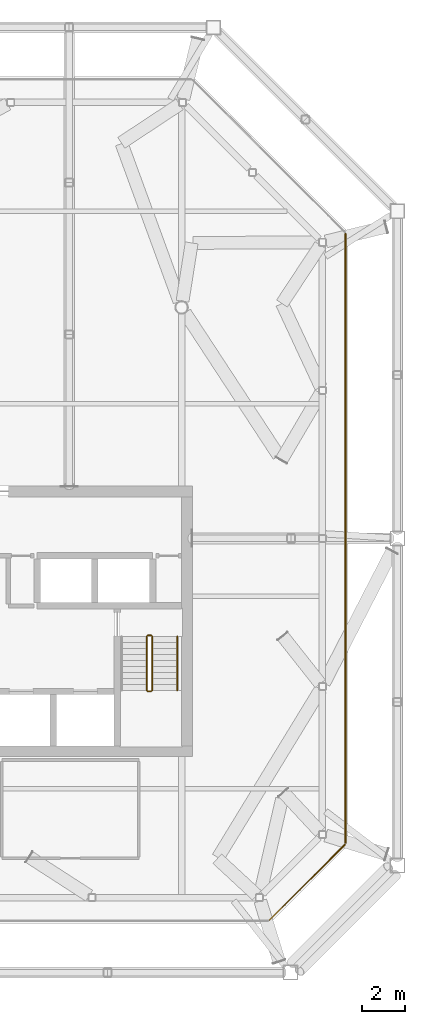
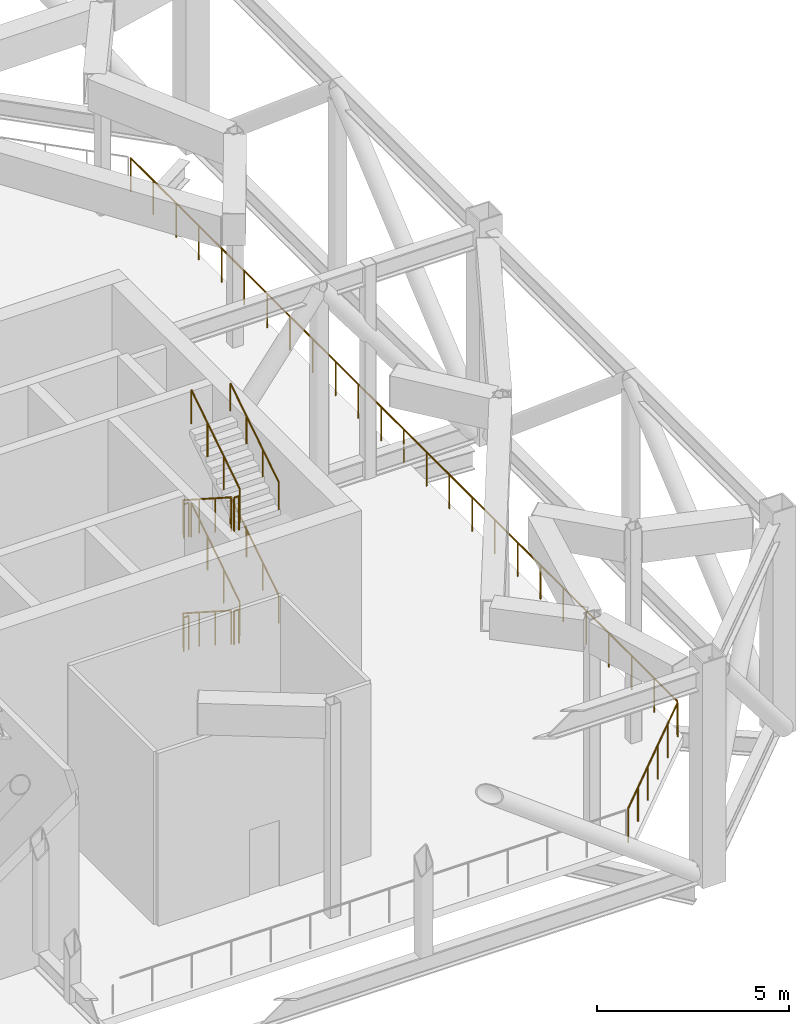
# One storey, part 16 of 17: 12 railings.
"""IFC4 building model written with IfcOpenShell, lengths in metres."""

import ifcopenshell
import ifcopenshell.guid

model = None  # the IFC model being written
_history = None  # IfcOwnerHistory: only IFC2X3 demands one
_inside = {}  # id of a spatial element -> (the spatial element, [elements in it])
_under = {}  # id of a project, library or spatial element -> (it, [spatial elements below it])
_declared = {}  # id of a project -> (the project, [libraries it declares])
_typed = {}  # id of a type object -> (the type object, [elements of that type])
_made_of = {}  # id of a material, layer set ... -> (it, [elements and type objects made of it])


def new_model(schema):
    """Start an empty IFC model of exactly this schema.

    Asked for "IFC4X3", IfcOpenShell would pick the latest addendum, in which some entities
    have other attributes; the version numbers below select the first issue.
    IFC2X3 requires an IfcOwnerHistory on every rooted entity: one is made here for all.
    """
    global model, _history
    if schema == "IFC4X3":
        model = ifcopenshell.file(schema_version=(4, 3, 0, 0))
    else:
        model = ifcopenshell.file(schema=schema)
    _inside.clear()
    _under.clear()
    _declared.clear()
    _typed.clear()
    _made_of.clear()
    _history = None
    if model.schema == "IFC2X3":
        org = make("IfcOrganization", Name="unknown")
        user = make(
            "IfcPersonAndOrganization",
            ThePerson=make("IfcPerson", FamilyName="unknown"),
            TheOrganization=org,
        )
        app = make(
            "IfcApplication",
            ApplicationDeveloper=org,
            Version="unknown",
            ApplicationFullName="unknown",
            ApplicationIdentifier="unknown",
        )
        _history = make(
            "IfcOwnerHistory",
            OwningUser=user,
            OwningApplication=app,
            ChangeAction="ADDED",
            CreationDate=0,
        )
    return model


def make(cls, **values):
    """One entity of the class cls with the attributes given. An attribute that is None is left unset."""
    return model.create_entity(
        cls, **{name: value for name, value in values.items() if value is not None}
    )


def rooted(cls, **values):
    """An entity with a GlobalId (a new one), such as an element, a storey or a relation."""
    return make(cls, GlobalId=ifcopenshell.guid.new(), OwnerHistory=_history, **values)


def si_unit(unit_type, name, prefix=None):
    """IfcSIUnit, for example si_unit("LENGTHUNIT", "METRE", prefix="MILLI")."""
    return make("IfcSIUnit", UnitType=unit_type, Prefix=prefix, Name=name)


def assignment(units):
    """IfcUnitAssignment: the units of a project."""
    return None if units is None else make("IfcUnitAssignment", Units=units)


def point(xyz):
    """IfcCartesianPoint."""
    return None if xyz is None else make("IfcCartesianPoint", Coordinates=xyz)


def direction(xyz):
    """IfcDirection."""
    return None if xyz is None else make("IfcDirection", DirectionRatios=xyz)


def frame(location, z_axis=None, x_axis=None):
    """IfcAxis2Placement3D, a coordinate frame: its origin and axes. An axis left out is left unset."""
    return make(
        "IfcAxis2Placement3D",
        Location=point(location),
        Axis=direction(z_axis),
        RefDirection=direction(x_axis),
    )


def frame_2d(location, x_axis=None):
    """IfcAxis2Placement2D, a coordinate frame in the plane: its origin and x axis."""
    return make(
        "IfcAxis2Placement2D", Location=point(location), RefDirection=direction(x_axis)
    )


def origin():
    """The frame at (0, 0, 0) with its axes left unset."""
    return frame((0.0, 0.0, 0.0))


def origin_2d():
    """The frame at (0, 0) in the plane with its x axis left unset."""
    return frame_2d((0.0, 0.0))


def place(relative_to, where):
    """IfcLocalPlacement: puts the frame where relative to a parent placement (None: the world)."""
    return make(
        "IfcLocalPlacement", PlacementRelTo=relative_to, RelativePlacement=where
    )


def context(
    kind, dimensions, precision=None, world=None, true_north=None, identifier=None
):
    """IfcGeometricRepresentationContext, for example the 3D "Model" context."""
    return make(
        "IfcGeometricRepresentationContext",
        ContextIdentifier=identifier,
        ContextType=kind,
        CoordinateSpaceDimension=dimensions,
        Precision=precision,
        WorldCoordinateSystem=world,
        TrueNorth=true_north,
    )


def subcontext(parent, identifier, kind, view, scale=None):
    """IfcGeometricRepresentationSubContext, for example "Body" below "Model"."""
    return make(
        "IfcGeometricRepresentationSubContext",
        ContextIdentifier=identifier,
        ContextType=kind,
        ParentContext=parent,
        TargetScale=scale,
        TargetView=view,
    )


def project(units=None, contexts=None):
    """IfcProject with its units and contexts."""
    return rooted(
        "IfcProject",
        Name="project",
        RepresentationContexts=contexts,
        UnitsInContext=assignment(units),
    )


def spatial(cls, under=None, at=None, **own):
    """A site, building, storey or space (cls), placed at a placement, below another one or the project."""
    s = rooted(cls, ObjectPlacement=at, **own)
    if under is not None:
        _under.setdefault(under.id(), (under, []))[1].append(s)
    return s


def profile(cls, at=None, kind="AREA", **sizes):
    """A parametric profile (cls). Its sizes go by their IFC names, for example OverallWidth=200.0."""
    return make(cls, ProfileType=kind, Position=at, **sizes)


def circle(**sizes):
    """IfcCircleProfileDef."""
    return profile("IfcCircleProfileDef", **sizes)


def extrude(swept, where, along, depth):
    """IfcExtrudedAreaSolid: the profile swept, set in the frame where, extruded along a direction by depth."""
    return make(
        "IfcExtrudedAreaSolid",
        SweptArea=swept,
        Position=where,
        ExtrudedDirection=direction(along),
        Depth=depth,
    )


def shape(context_of_items, identifier, shape_type, items):
    """IfcShapeRepresentation: the items that make up one representation, for example the "Body"."""
    return make(
        "IfcShapeRepresentation",
        ContextOfItems=context_of_items,
        RepresentationIdentifier=identifier,
        RepresentationType=shape_type,
        Items=items,
    )


def material(Name=None, Category=None):
    """IfcMaterial."""
    return make("IfcMaterial", Name=Name, Category=Category)


def made_of(thing, what):
    """Note that an element or type object is made of a material, layer set ...; save() writes the relation."""
    if what is not None:
        _made_of.setdefault(what.id(), (what, []))[1].append(thing)
    return thing


def type_object(cls, material=None, **own):
    """A type object (cls), such as IfcWallType, which elements share."""
    return made_of(rooted(cls, **own), material)


def element(
    cls,
    number,
    at=None,
    inside=None,
    cuts=None,
    type_object=None,
    material=None,
    context=None,
    identifier="Body",
    shape_type=None,
    held_by="IfcProductDefinitionShape",
    body=None,
    shapes=None,
    **own,
):
    """One element of the class cls, such as IfcWall. Its Tag is "e" and its number.

    at: its placement. inside: the storey or other place that contains it. cuts: it is an
    opening in that element (IfcRelVoidsElement). A single representation is given by context,
    identifier, shape_type and body (its items); several are given by shapes. held_by: the class
    of the entity that holds the representations. save() writes the other relations.
    """
    e = rooted(cls, Tag="e%d" % number, ObjectPlacement=at, **own)
    if body is not None:
        shapes = [shape(context, identifier, shape_type, body)]
    if shapes is not None:
        e.Representation = make(held_by, Representations=shapes)
    if inside is not None:
        _inside.setdefault(inside.id(), (inside, []))[1].append(e)
    if cuts is not None:
        rooted(
            "IfcRelVoidsElement", RelatingBuildingElement=cuts, RelatedOpeningElement=e
        )
    if type_object is not None:
        _typed.setdefault(type_object.id(), (type_object, []))[1].append(e)
    return made_of(e, material)


def aggregate(whole, parts):
    """IfcRelAggregates: a whole, such as a stair, and the parts it consists of."""
    return rooted("IfcRelAggregates", RelatingObject=whole, RelatedObjects=parts)


def save(model, path):
    """Write the relations noted so far, then the file.

    IfcRelAggregates (storeys below a building ...), IfcRelContainedInSpatialStructure (elements
    in a storey), IfcRelDefinesByType, IfcRelAssociatesMaterial and IfcRelDeclares: one each for
    every whole, place, type object, material and project.
    """
    for whole, parts in _under.values():
        aggregate(whole, parts)
    for where, things in _inside.values():
        rooted(
            "IfcRelContainedInSpatialStructure",
            RelatedElements=things,
            RelatingStructure=where,
        )
    for kind, things in _typed.values():
        rooted("IfcRelDefinesByType", RelatedObjects=things, RelatingType=kind)
    for what, things in _made_of.values():
        rooted("IfcRelAssociatesMaterial", RelatedObjects=things, RelatingMaterial=what)
    for by, libraries in _declared.values():
        rooted("IfcRelDeclares", RelatingContext=by, RelatedDefinitions=libraries)
    model.write(path)


model = new_model("IFC4")

# Units and contexts
model_context = context("Model", 3, precision=1e-05, world=origin(), true_north=direction((0.0, 1.0)))
body_context = subcontext(model_context, "Body", "Model", "MODEL_VIEW")
ifc_project = project(units=[si_unit("LENGTHUNIT", "METRE"), si_unit("AREAUNIT", "SQUARE_METRE"), si_unit("VOLUMEUNIT", "CUBIC_METRE"), si_unit("PLANEANGLEUNIT", "RADIAN"), si_unit("MASSUNIT", "GRAM", prefix="KILO")], contexts=[model_context])

# Site, building, storey
site_placement = place(None, origin())
site = spatial("IfcSite", under=ifc_project, at=site_placement, CompositionType="ELEMENT")
building_placement = place(site_placement, origin())
building = spatial("IfcBuilding", under=site, at=building_placement, Name="Tskaro Facet Tower", CompositionType="ELEMENT")
storey_placement = place(building_placement, frame((0.0, 0.0, 210.0)))
storey = spatial("IfcBuildingStorey", under=building, at=storey_placement, Name="L54", CompositionType="ELEMENT", Elevation=210.0)

# Railings
ifc_material_1 = material(Name="Bronze anodised aluminium 6063-T6", Category="aluminium")
railing_type_1 = type_object("IfcRailingType", Name="Bronze guard rail (GD1)", PredefinedType="GUARDRAIL", material=ifc_material_1)
railing_1_placement = place(storey_placement, frame((13.11181640625, -19.631103515625, 0.0)))
element("IfcRailing", 1, at=railing_1_placement, inside=storey, type_object=railing_type_1, Name="Guard L54", PredefinedType="GUARDRAIL", context=body_context, shape_type="SweptSolid", body=[
    extrude(circle(Radius=0.02490234375, at=origin_2d()), frame((0.0, 0.0, 1.0751953125), z_axis=(0.707106781187, 0.707106781187, 0.0), x_axis=(-0.707106781187, 0.707106781187, 0.0)), (0.0, 0.0, 1.0), 4.97705078125),
    extrude(circle(Radius=0.02001953125, at=origin_2d()), origin(), (0.0, 0.0, 1.0), 1.050048828125),
    extrude(circle(Radius=0.02001953125, at=origin_2d()), frame((0.703857421875, 0.703857421875, 0.0)), (0.0, 0.0, 1.0), 1.050048828125),
    extrude(circle(Radius=0.02001953125, at=origin_2d()), frame((1.40771484375, 1.40771484375, 0.0)), (0.0, 0.0, 1.0), 1.050048828125),
    extrude(circle(Radius=0.02001953125, at=origin_2d()), frame((2.111572265625, 2.111572265625, 0.0)), (0.0, 0.0, 1.0), 1.050048828125),
    extrude(circle(Radius=0.02001953125, at=origin_2d()), frame((2.8154296875, 2.8154296875, 0.0)), (0.0, 0.0, 1.0), 1.050048828125),
    extrude(circle(Radius=0.02001953125, at=origin_2d()), frame((3.519287109375, 3.519287109375, 0.0)), (0.0, 0.0, 1.0), 1.050048828125),
])
railing_2_placement = place(storey_placement, frame((16.6630859375, -16.034912109375, 0.0)))
element("IfcRailing", 2, at=railing_2_placement, inside=storey, type_object=railing_type_1, Name="Guard L54", PredefinedType="GUARDRAIL", context=body_context, shape_type="SweptSolid", body=[
    extrude(circle(Radius=0.02490234375, at=origin_2d()), frame((0.0, 0.0, 1.0751953125), z_axis=(0.0, 1.0, 0.0), x_axis=(-1.0, 0.0, 0.0)), (0.0, 0.0, 1.0), 28.48291015625),
    extrude(circle(Radius=0.02001953125, at=origin_2d()), origin(), (0.0, 0.0, 1.0), 1.050048828125),
    extrude(circle(Radius=0.02001953125, at=origin_2d()), frame((0.0, 1.186767578125, 0.0)), (0.0, 0.0, 1.0), 1.050048828125),
    extrude(circle(Radius=0.02001953125, at=origin_2d()), frame((0.0, 2.37353515625, 0.0)), (0.0, 0.0, 1.0), 1.050048828125),
    extrude(circle(Radius=0.02001953125, at=origin_2d()), frame((0.0, 3.560302734375, 0.0)), (0.0, 0.0, 1.0), 1.050048828125),
    extrude(circle(Radius=0.02001953125, at=origin_2d()), frame((0.0, 4.7470703125, 0.0)), (0.0, 0.0, 1.0), 1.050048828125),
    extrude(circle(Radius=0.02001953125, at=origin_2d()), frame((0.0, 5.933837890625, 0.0)), (0.0, 0.0, 1.0), 1.050048828125),
    extrude(circle(Radius=0.02001953125, at=origin_2d()), frame((0.0, 7.12060546875, 0.0)), (0.0, 0.0, 1.0), 1.050048828125),
    extrude(circle(Radius=0.02001953125, at=origin_2d()), frame((0.0, 8.3076171875, 0.0)), (0.0, 0.0, 1.0), 1.050048828125),
    extrude(circle(Radius=0.02001953125, at=origin_2d()), frame((0.0, 9.494384765625, 0.0)), (0.0, 0.0, 1.0), 1.050048828125),
    extrude(circle(Radius=0.02001953125, at=origin_2d()), frame((0.0, 10.68115234375, 0.0)), (0.0, 0.0, 1.0), 1.050048828125),
    extrude(circle(Radius=0.02001953125, at=origin_2d()), frame((0.0, 11.867919921875, 0.0)), (0.0, 0.0, 1.0), 1.050048828125),
    extrude(circle(Radius=0.02001953125, at=origin_2d()), frame((0.0, 13.0546875, 0.0)), (0.0, 0.0, 1.0), 1.050048828125),
    extrude(circle(Radius=0.02001953125, at=origin_2d()), frame((0.0, 14.241455078125, 0.0)), (0.0, 0.0, 1.0), 1.050048828125),
    extrude(circle(Radius=0.02001953125, at=origin_2d()), frame((0.0, 15.42822265625, 0.0)), (0.0, 0.0, 1.0), 1.050048828125),
    extrude(circle(Radius=0.02001953125, at=origin_2d()), frame((0.0, 16.614990234375, 0.0)), (0.0, 0.0, 1.0), 1.050048828125),
    extrude(circle(Radius=0.02001953125, at=origin_2d()), frame((0.0, 17.8017578125, 0.0)), (0.0, 0.0, 1.0), 1.050048828125),
    extrude(circle(Radius=0.02001953125, at=origin_2d()), frame((0.0, 18.988525390625, 0.0)), (0.0, 0.0, 1.0), 1.050048828125),
    extrude(circle(Radius=0.02001953125, at=origin_2d()), frame((0.0, 20.17529296875, 0.0)), (0.0, 0.0, 1.0), 1.050048828125),
    extrude(circle(Radius=0.02001953125, at=origin_2d()), frame((0.0, 21.3623046875, 0.0)), (0.0, 0.0, 1.0), 1.050048828125),
    extrude(circle(Radius=0.02001953125, at=origin_2d()), frame((0.0, 22.549072265625, 0.0)), (0.0, 0.0, 1.0), 1.050048828125),
    extrude(circle(Radius=0.02001953125, at=origin_2d()), frame((0.0, 23.73583984375, 0.0)), (0.0, 0.0, 1.0), 1.050048828125),
    extrude(circle(Radius=0.02001953125, at=origin_2d()), frame((0.0, 24.922607421875, 0.0)), (0.0, 0.0, 1.0), 1.050048828125),
    extrude(circle(Radius=0.02001953125, at=origin_2d()), frame((0.0, 26.109375, 0.0)), (0.0, 0.0, 1.0), 1.050048828125),
    extrude(circle(Radius=0.02001953125, at=origin_2d()), frame((0.0, 27.296142578125, 0.0)), (0.0, 0.0, 1.0), 1.050048828125),
    extrude(circle(Radius=0.02001953125, at=origin_2d()), frame((0.0, 28.48291015625, 0.0)), (0.0, 0.0, 1.0), 1.050048828125),
])
ifc_material_2 = material(Name="Stainless steel", Category="steel")
railing_type_2 = type_object("IfcRailingType", Name="RL-GUARD-1100", PredefinedType="GUARDRAIL", material=ifc_material_2)
railing_3_placement = place(storey_placement, frame((7.375, -6.375, 0.179931640625)))
element("IfcRailing", 3, at=railing_3_placement, inside=storey, type_object=railing_type_2, Name="L54 ST-2 stair guard 1", PredefinedType="GUARDRAIL", context=body_context, shape_type="SweptSolid", body=[
    extrude(circle(Radius=0.02392578125, at=origin_2d()), frame((0.0, 0.0, 1.076171875), z_axis=(0.0, -0.841162588446, 0.540782303519), x_axis=(1.0, 0.0, 0.0)), (0.0, 0.0, 1.0), 2.995849609375),
    extrude(circle(Radius=0.02099609375, at=origin_2d()), origin(), (0.0, 0.0, 1.0), 1.052001953125),
    extrude(circle(Radius=0.02099609375, at=origin_2d()), frame((0.0, -0.840087890625, 0.5400390625)), (0.0, 0.0, 1.0), 1.052001953125),
    extrude(circle(Radius=0.02099609375, at=origin_2d()), frame((0.0, -1.679931640625, 1.080078125)), (0.0, 0.0, 1.0), 1.052001953125),
    extrude(circle(Radius=0.02099609375, at=origin_2d()), frame((0.0, -2.52001953125, 1.6201171875)), (0.0, 0.0, 1.0), 1.052001953125),
])
railing_4_placement = place(storey_placement, frame((7.425048828125, -8.945068359375, 1.800048828125)))
element("IfcRailing", 4, at=railing_4_placement, inside=storey, type_object=railing_type_2, Name="L54 ST-2 stair guard 2", PredefinedType="GUARDRAIL", context=body_context, shape_type="SweptSolid", body=[
    extrude(circle(Radius=0.02392578125, at=origin_2d()), frame((0.0, 0.0, 1.076171875), z_axis=(1.0, 0.0, 0.0), x_axis=(0.0, 1.0, 0.0)), (0.0, 0.0, 1.0), 0.14990234375),
    extrude(circle(Radius=0.02099609375, at=origin_2d()), origin(), (0.0, 0.0, 1.0), 1.052001953125),
    extrude(circle(Radius=0.02099609375, at=origin_2d()), frame((0.14990234375, 0.0, 0.0)), (0.0, 0.0, 1.0), 1.052001953125),
])
railing_5_placement = place(storey_placement, frame((7.625, -8.89501953125, 1.97998046875)))
element("IfcRailing", 5, at=railing_5_placement, inside=storey, type_object=railing_type_2, Name="L54 ST-2 stair guard 3", PredefinedType="GUARDRAIL", context=body_context, shape_type="SweptSolid", body=[
    extrude(circle(Radius=0.02392578125, at=origin_2d()), frame((0.0, 0.0, 1.076171875), z_axis=(0.0, 0.841162588446, 0.540782303519), x_axis=(-1.0, 0.0, 0.0)), (0.0, 0.0, 1.0), 2.995849609375),
    extrude(circle(Radius=0.02099609375, at=origin_2d()), origin(), (0.0, 0.0, 1.0), 1.052001953125),
    extrude(circle(Radius=0.02099609375, at=origin_2d()), frame((0.0, 0.840087890625, 0.5400390625)), (0.0, 0.0, 1.0), 1.052001953125),
    extrude(circle(Radius=0.02099609375, at=origin_2d()), frame((0.0, 1.679931640625, 1.080078125)), (0.0, 0.0, 1.0), 1.052001953125),
    extrude(circle(Radius=0.02099609375, at=origin_2d()), frame((0.0, 2.52001953125, 1.6201171875)), (0.0, 0.0, 1.0), 1.052001953125),
])
railing_6_placement = place(storey_placement, frame((7.425048828125, -6.324951171875, 3.60009765625)))
element("IfcRailing", 6, at=railing_6_placement, inside=storey, type_object=railing_type_2, Name="L54 ST-2 stair guard 4", PredefinedType="GUARDRAIL", context=body_context, shape_type="SweptSolid", body=[
    extrude(circle(Radius=0.02392578125, at=origin_2d()), frame((0.0, 0.0, 1.076171875), z_axis=(1.0, 0.0, 0.0), x_axis=(0.0, 1.0, 0.0)), (0.0, 0.0, 1.0), 0.14990234375),
    extrude(circle(Radius=0.02099609375, at=origin_2d()), origin(), (0.0, 0.0, 1.0), 1.052001953125),
    extrude(circle(Radius=0.02099609375, at=origin_2d()), frame((0.14990234375, 0.0, 0.0)), (0.0, 0.0, 1.0), 1.052001953125),
])
railing_7_placement = place(storey_placement, frame((7.375, -6.375, 3.780029296875)))
element("IfcRailing", 7, at=railing_7_placement, inside=storey, type_object=railing_type_2, Name="L54 ST-2 stair guard 5", PredefinedType="GUARDRAIL", context=body_context, shape_type="SweptSolid", body=[
    extrude(circle(Radius=0.02392578125, at=origin_2d()), frame((0.0, 0.0, 1.076171875), z_axis=(0.0, -0.841199657755, 0.540724639528), x_axis=(1.0, 0.0, 0.0)), (0.0, 0.0, 1.0), 2.995849609375),
    extrude(circle(Radius=0.02099609375, at=origin_2d()), origin(), (0.0, 0.0, 1.0), 1.052001953125),
    extrude(circle(Radius=0.02099609375, at=origin_2d()), frame((0.0, -0.840087890625, 0.5400390625)), (0.0, 0.0, 1.0), 1.052001953125),
    extrude(circle(Radius=0.02099609375, at=origin_2d()), frame((0.0, -1.679931640625, 1.079833984375)), (0.0, 0.0, 1.0), 1.052001953125),
    extrude(circle(Radius=0.02099609375, at=origin_2d()), frame((0.0, -2.52001953125, 1.619873046875)), (0.0, 0.0, 1.0), 1.052001953125),
])
railing_8_placement = place(storey_placement, frame((7.425048828125, -8.945068359375, 5.39990234375)))
element("IfcRailing", 8, at=railing_8_placement, inside=storey, type_object=railing_type_2, Name="L54 ST-2 stair guard 6", PredefinedType="GUARDRAIL", context=body_context, shape_type="SweptSolid", body=[
    extrude(circle(Radius=0.02392578125, at=origin_2d()), frame((0.0, 0.0, 1.076171875), z_axis=(1.0, 0.0, 0.0), x_axis=(0.0, 1.0, 0.0)), (0.0, 0.0, 1.0), 0.14990234375),
    extrude(circle(Radius=0.02099609375, at=origin_2d()), origin(), (0.0, 0.0, 1.0), 1.052001953125),
    extrude(circle(Radius=0.02099609375, at=origin_2d()), frame((0.14990234375, 0.0, 0.0)), (0.0, 0.0, 1.0), 1.052001953125),
])
railing_9_placement = place(storey_placement, frame((7.625, -8.89501953125, 5.580078125)))
element("IfcRailing", 9, at=railing_9_placement, inside=storey, type_object=railing_type_2, Name="L54 ST-2 stair guard 7", PredefinedType="GUARDRAIL", context=body_context, shape_type="SweptSolid", body=[
    extrude(circle(Radius=0.02392578125, at=origin_2d()), frame((0.0, 0.0, 1.076171875), z_axis=(0.0, 0.841199657755, 0.540724639528), x_axis=(-1.0, 0.0, 0.0)), (0.0, 0.0, 1.0), 2.995849609375),
    extrude(circle(Radius=0.02099609375, at=origin_2d()), origin(), (0.0, 0.0, 1.0), 1.052001953125),
    extrude(circle(Radius=0.02099609375, at=origin_2d()), frame((0.0, 0.840087890625, 0.5400390625)), (0.0, 0.0, 1.0), 1.052001953125),
    extrude(circle(Radius=0.02099609375, at=origin_2d()), frame((0.0, 1.679931640625, 1.079833984375)), (0.0, 0.0, 1.0), 1.052001953125),
    extrude(circle(Radius=0.02099609375, at=origin_2d()), frame((0.0, 2.52001953125, 1.619873046875)), (0.0, 0.0, 1.0), 1.052001953125),
])
railing_10_placement = place(storey_placement, frame((7.425048828125, -6.324951171875, 0.0)))
element("IfcRailing", 10, at=railing_10_placement, inside=storey, type_object=railing_type_2, Name="L54 ST-2 stair guard 8", PredefinedType="GUARDRAIL", context=body_context, shape_type="SweptSolid", body=[
    extrude(circle(Radius=0.02392578125, at=origin_2d()), frame((0.0, 0.0, 1.076171875), z_axis=(1.0, 0.0, 0.0), x_axis=(0.0, 1.0, 0.0)), (0.0, 0.0, 1.0), 0.14990234375),
    extrude(circle(Radius=0.02099609375, at=origin_2d()), origin(), (0.0, 0.0, 1.0), 1.052001953125),
    extrude(circle(Radius=0.02099609375, at=origin_2d()), frame((0.14990234375, 0.0, 0.0)), (0.0, 0.0, 1.0), 1.052001953125),
])
railing_type_3 = type_object("IfcRailingType", Name="RL-HANDRAIL-900", PredefinedType="HANDRAIL", material=ifc_material_2)
railing_11_placement = place(storey_placement, frame((8.800048828125, -8.89501953125, 1.97998046875)))
element("IfcRailing", 11, at=railing_11_placement, inside=storey, type_object=railing_type_3, Name="L54 ST-2 stair handrail 2", PredefinedType="HANDRAIL", context=body_context, shape_type="SweptSolid", body=[
    extrude(circle(Radius=0.02392578125, at=origin_2d()), frame((0.0, 0.0, 0.8759765625), z_axis=(0.0, 0.841162588446, 0.540782303519), x_axis=(-1.0, 0.0, 0.0)), (0.0, 0.0, 1.0), 2.995849609375),
    extrude(circle(Radius=0.02099609375, at=origin_2d()), origin(), (0.0, 0.0, 1.0), 0.851806640625),
    extrude(circle(Radius=0.02099609375, at=origin_2d()), frame((0.0, 0.840087890625, 0.5400390625)), (0.0, 0.0, 1.0), 0.851806640625),
    extrude(circle(Radius=0.02099609375, at=origin_2d()), frame((0.0, 1.679931640625, 1.080078125)), (0.0, 0.0, 1.0), 0.851806640625),
    extrude(circle(Radius=0.02099609375, at=origin_2d()), frame((0.0, 2.52001953125, 1.6201171875)), (0.0, 0.0, 1.0), 0.851806640625),
])
railing_12_placement = place(storey_placement, frame((8.800048828125, -8.89501953125, 5.580078125)))
element("IfcRailing", 12, at=railing_12_placement, inside=storey, type_object=railing_type_3, Name="L54 ST-2 stair handrail 4", PredefinedType="HANDRAIL", context=body_context, shape_type="SweptSolid", body=[
    extrude(circle(Radius=0.02392578125, at=origin_2d()), frame((0.0, 0.0, 0.8759765625), z_axis=(0.0, 0.841199657755, 0.540724639528), x_axis=(-1.0, 0.0, 0.0)), (0.0, 0.0, 1.0), 2.995849609375),
    extrude(circle(Radius=0.02099609375, at=origin_2d()), origin(), (0.0, 0.0, 1.0), 0.851806640625),
    extrude(circle(Radius=0.02099609375, at=origin_2d()), frame((0.0, 0.840087890625, 0.5400390625)), (0.0, 0.0, 1.0), 0.851806640625),
    extrude(circle(Radius=0.02099609375, at=origin_2d()), frame((0.0, 1.679931640625, 1.079833984375)), (0.0, 0.0, 1.0), 0.851806640625),
    extrude(circle(Radius=0.02099609375, at=origin_2d()), frame((0.0, 2.52001953125, 1.619873046875)), (0.0, 0.0, 1.0), 0.851806640625),
])

save(model, "model.ifc")
